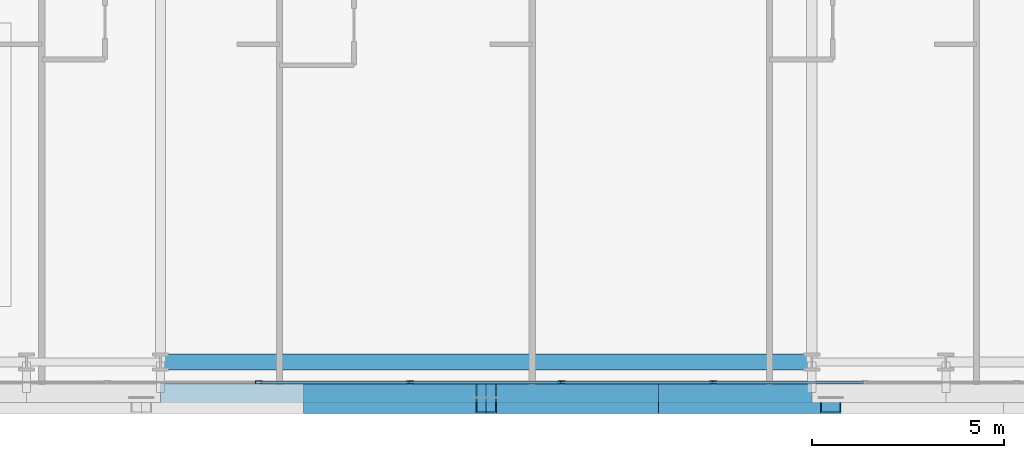
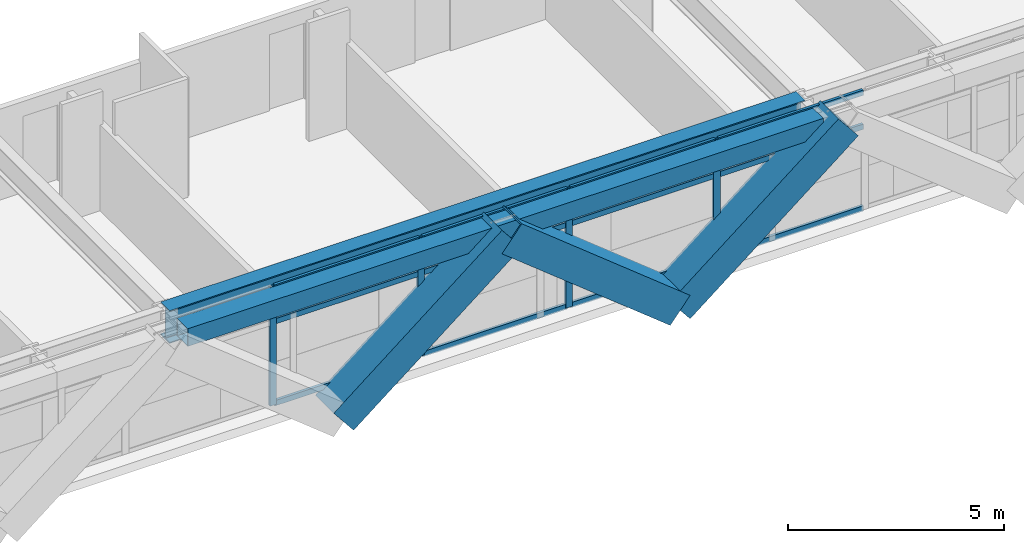
# One storey, part 5 of 38: 19 members, 2 beams, 1 element without a shape of its own.
"""IFC4 building model written with IfcOpenShell, lengths in metres."""

import ifcopenshell
import ifcopenshell.guid

model = None  # the IFC model being written
_history = None  # IfcOwnerHistory: only IFC2X3 demands one
_inside = {}  # id of a spatial element -> (the spatial element, [elements in it])
_under = {}  # id of a project, library or spatial element -> (it, [spatial elements below it])
_declared = {}  # id of a project -> (the project, [libraries it declares])
_typed = {}  # id of a type object -> (the type object, [elements of that type])
_made_of = {}  # id of a material, layer set ... -> (it, [elements and type objects made of it])


def new_model(schema):
    """Start an empty IFC model of exactly this schema.

    Asked for "IFC4X3", IfcOpenShell would pick the latest addendum, in which some entities
    have other attributes; the version numbers below select the first issue.
    IFC2X3 requires an IfcOwnerHistory on every rooted entity: one is made here for all.
    """
    global model, _history
    if schema == "IFC4X3":
        model = ifcopenshell.file(schema_version=(4, 3, 0, 0))
    else:
        model = ifcopenshell.file(schema=schema)
    _inside.clear()
    _under.clear()
    _declared.clear()
    _typed.clear()
    _made_of.clear()
    _history = None
    if model.schema == "IFC2X3":
        org = make("IfcOrganization", Name="unknown")
        user = make(
            "IfcPersonAndOrganization",
            ThePerson=make("IfcPerson", FamilyName="unknown"),
            TheOrganization=org,
        )
        app = make(
            "IfcApplication",
            ApplicationDeveloper=org,
            Version="unknown",
            ApplicationFullName="unknown",
            ApplicationIdentifier="unknown",
        )
        _history = make(
            "IfcOwnerHistory",
            OwningUser=user,
            OwningApplication=app,
            ChangeAction="ADDED",
            CreationDate=0,
        )
    return model


def make(cls, **values):
    """One entity of the class cls with the attributes given. An attribute that is None is left unset."""
    return model.create_entity(
        cls, **{name: value for name, value in values.items() if value is not None}
    )


def rooted(cls, **values):
    """An entity with a GlobalId (a new one), such as an element, a storey or a relation."""
    return make(cls, GlobalId=ifcopenshell.guid.new(), OwnerHistory=_history, **values)


def si_unit(unit_type, name, prefix=None):
    """IfcSIUnit, for example si_unit("LENGTHUNIT", "METRE", prefix="MILLI")."""
    return make("IfcSIUnit", UnitType=unit_type, Prefix=prefix, Name=name)


def assignment(units):
    """IfcUnitAssignment: the units of a project."""
    return None if units is None else make("IfcUnitAssignment", Units=units)


def point(xyz):
    """IfcCartesianPoint."""
    return None if xyz is None else make("IfcCartesianPoint", Coordinates=xyz)


def direction(xyz):
    """IfcDirection."""
    return None if xyz is None else make("IfcDirection", DirectionRatios=xyz)


def frame(location, z_axis=None, x_axis=None):
    """IfcAxis2Placement3D, a coordinate frame: its origin and axes. An axis left out is left unset."""
    return make(
        "IfcAxis2Placement3D",
        Location=point(location),
        Axis=direction(z_axis),
        RefDirection=direction(x_axis),
    )


def frame_2d(location, x_axis=None):
    """IfcAxis2Placement2D, a coordinate frame in the plane: its origin and x axis."""
    return make(
        "IfcAxis2Placement2D", Location=point(location), RefDirection=direction(x_axis)
    )


def origin():
    """The frame at (0, 0, 0) with its axes left unset."""
    return frame((0.0, 0.0, 0.0))


def origin_2d():
    """The frame at (0, 0) in the plane with its x axis left unset."""
    return frame_2d((0.0, 0.0))


def place(relative_to, where):
    """IfcLocalPlacement: puts the frame where relative to a parent placement (None: the world)."""
    return make(
        "IfcLocalPlacement", PlacementRelTo=relative_to, RelativePlacement=where
    )


def context(
    kind, dimensions, precision=None, world=None, true_north=None, identifier=None
):
    """IfcGeometricRepresentationContext, for example the 3D "Model" context."""
    return make(
        "IfcGeometricRepresentationContext",
        ContextIdentifier=identifier,
        ContextType=kind,
        CoordinateSpaceDimension=dimensions,
        Precision=precision,
        WorldCoordinateSystem=world,
        TrueNorth=true_north,
    )


def subcontext(parent, identifier, kind, view, scale=None):
    """IfcGeometricRepresentationSubContext, for example "Body" below "Model"."""
    return make(
        "IfcGeometricRepresentationSubContext",
        ContextIdentifier=identifier,
        ContextType=kind,
        ParentContext=parent,
        TargetScale=scale,
        TargetView=view,
    )


def project(units=None, contexts=None):
    """IfcProject with its units and contexts."""
    return rooted(
        "IfcProject",
        Name="project",
        RepresentationContexts=contexts,
        UnitsInContext=assignment(units),
    )


def spatial(cls, under=None, at=None, **own):
    """A site, building, storey or space (cls), placed at a placement, below another one or the project."""
    s = rooted(cls, ObjectPlacement=at, **own)
    if under is not None:
        _under.setdefault(under.id(), (under, []))[1].append(s)
    return s


def profile(cls, at=None, kind="AREA", **sizes):
    """A parametric profile (cls). Its sizes go by their IFC names, for example OverallWidth=200.0."""
    return make(cls, ProfileType=kind, Position=at, **sizes)


def hollow_rectangle(**sizes):
    """IfcRectangleHollowProfileDef."""
    return profile("IfcRectangleHollowProfileDef", **sizes)


def i_section(**sizes):
    """IfcIShapeProfileDef."""
    return profile("IfcIShapeProfileDef", **sizes)


def extrude(swept, where, along, depth):
    """IfcExtrudedAreaSolid: the profile swept, set in the frame where, extruded along a direction by depth."""
    return make(
        "IfcExtrudedAreaSolid",
        SweptArea=swept,
        Position=where,
        ExtrudedDirection=direction(along),
        Depth=depth,
    )


def shape(context_of_items, identifier, shape_type, items):
    """IfcShapeRepresentation: the items that make up one representation, for example the "Body"."""
    return make(
        "IfcShapeRepresentation",
        ContextOfItems=context_of_items,
        RepresentationIdentifier=identifier,
        RepresentationType=shape_type,
        Items=items,
    )


def source(mapping_origin, context_of_items, identifier, shape_type, items):
    """IfcRepresentationMap: a shape defined once, which mapped items show again and again."""
    return make(
        "IfcRepresentationMap",
        MappingOrigin=mapping_origin,
        MappedRepresentation=shape(context_of_items, identifier, shape_type, items),
    )


def transform(
    local_origin,
    x_axis=None,
    y_axis=None,
    z_axis=None,
    scale=None,
    scale2=None,
    scale3=None,
    uniform=True,
):
    """IfcCartesianTransformationOperator3D, or its non-uniform kind. x_axis, y_axis, z_axis: its Axis1, 2, 3."""
    if uniform:
        return make(
            "IfcCartesianTransformationOperator3D",
            Axis1=direction(x_axis),
            Axis2=direction(y_axis),
            LocalOrigin=point(local_origin),
            Scale=scale,
            Axis3=direction(z_axis),
        )
    return make(
        "IfcCartesianTransformationOperator3DnonUniform",
        Axis1=direction(x_axis),
        Axis2=direction(y_axis),
        LocalOrigin=point(local_origin),
        Scale=scale,
        Axis3=direction(z_axis),
        Scale2=scale2,
        Scale3=scale3,
    )


def mapped(mapping_source, mapping_target):
    """IfcMappedItem: shows the shape of a source again, moved by a transform."""
    return make(
        "IfcMappedItem", MappingSource=mapping_source, MappingTarget=mapping_target
    )


def material(Name=None, Category=None):
    """IfcMaterial."""
    return make("IfcMaterial", Name=Name, Category=Category)


def layer(
    of_material, thickness, ventilated=None, Name=None, Category=None, Priority=None
):
    """IfcMaterialLayer: one layer of a wall or slab, of a material (None: an air gap)."""
    return make(
        "IfcMaterialLayer",
        Material=of_material,
        LayerThickness=thickness,
        IsVentilated=ventilated,
        Name=Name,
        Category=Category,
        Priority=Priority,
    )


def layer_set(layers, Name=None):
    """IfcMaterialLayerSet."""
    return make("IfcMaterialLayerSet", MaterialLayers=layers, LayerSetName=Name)


def material_profile(
    of_material, cross_section, Name=None, Category=None, Priority=None
):
    """IfcMaterialProfile: a cross section and its material."""
    return make(
        "IfcMaterialProfile",
        Name=Name,
        Material=of_material,
        Profile=cross_section,
        Priority=Priority,
        Category=Category,
    )


def profile_set(profiles, Name=None, composite=None):
    """IfcMaterialProfileSet."""
    return make(
        "IfcMaterialProfileSet",
        Name=Name,
        MaterialProfiles=profiles,
        CompositeProfile=composite,
    )


def made_of(thing, what):
    """Note that an element or type object is made of a material, layer set ...; save() writes the relation."""
    if what is not None:
        _made_of.setdefault(what.id(), (what, []))[1].append(thing)
    return thing


def type_object(cls, material=None, **own):
    """A type object (cls), such as IfcWallType, which elements share."""
    return made_of(rooted(cls, **own), material)


def element(
    cls,
    number,
    at=None,
    inside=None,
    cuts=None,
    type_object=None,
    material=None,
    context=None,
    identifier="Body",
    shape_type=None,
    held_by="IfcProductDefinitionShape",
    body=None,
    shapes=None,
    **own,
):
    """One element of the class cls, such as IfcWall. Its Tag is "e" and its number.

    at: its placement. inside: the storey or other place that contains it. cuts: it is an
    opening in that element (IfcRelVoidsElement). A single representation is given by context,
    identifier, shape_type and body (its items); several are given by shapes. held_by: the class
    of the entity that holds the representations. save() writes the other relations.
    """
    e = rooted(cls, Tag="e%d" % number, ObjectPlacement=at, **own)
    if body is not None:
        shapes = [shape(context, identifier, shape_type, body)]
    if shapes is not None:
        e.Representation = make(held_by, Representations=shapes)
    if inside is not None:
        _inside.setdefault(inside.id(), (inside, []))[1].append(e)
    if cuts is not None:
        rooted(
            "IfcRelVoidsElement", RelatingBuildingElement=cuts, RelatedOpeningElement=e
        )
    if type_object is not None:
        _typed.setdefault(type_object.id(), (type_object, []))[1].append(e)
    return made_of(e, material)


def aggregate(whole, parts):
    """IfcRelAggregates: a whole, such as a stair, and the parts it consists of."""
    return rooted("IfcRelAggregates", RelatingObject=whole, RelatedObjects=parts)


def save(model, path):
    """Write the relations noted so far, then the file.

    IfcRelAggregates (storeys below a building ...), IfcRelContainedInSpatialStructure (elements
    in a storey), IfcRelDefinesByType, IfcRelAssociatesMaterial and IfcRelDeclares: one each for
    every whole, place, type object, material and project.
    """
    for whole, parts in _under.values():
        aggregate(whole, parts)
    for where, things in _inside.values():
        rooted(
            "IfcRelContainedInSpatialStructure",
            RelatedElements=things,
            RelatingStructure=where,
        )
    for kind, things in _typed.values():
        rooted("IfcRelDefinesByType", RelatedObjects=things, RelatingType=kind)
    for what, things in _made_of.values():
        rooted("IfcRelAssociatesMaterial", RelatedObjects=things, RelatingMaterial=what)
    for by, libraries in _declared.values():
        rooted("IfcRelDeclares", RelatingContext=by, RelatedDefinitions=libraries)
    model.write(path)


model = new_model("IFC4")

# Units and contexts
model_context = context("Model", 3, precision=1e-05, world=origin(), true_north=direction((0.0, 1.0)))
body_context = subcontext(model_context, "Body", "Model", "MODEL_VIEW")
ifc_project = project(units=[si_unit("LENGTHUNIT", "METRE"), si_unit("AREAUNIT", "SQUARE_METRE"), si_unit("VOLUMEUNIT", "CUBIC_METRE"), si_unit("PLANEANGLEUNIT", "RADIAN"), si_unit("MASSUNIT", "GRAM", prefix="KILO")], contexts=[model_context])

# Site, building, storey
site_placement = place(None, origin())
site = spatial("IfcSite", under=ifc_project, at=site_placement, CompositionType="ELEMENT")
building_placement = place(site_placement, origin())
building = spatial("IfcBuilding", under=site, at=building_placement, Name="Ocotamira Hotel", CompositionType="ELEMENT")
storey_placement = place(building_placement, frame((0.0, 0.0, 45.60009765625)))
storey = spatial("IfcBuildingStorey", under=building, at=storey_placement, Name="L10", CompositionType="ELEMENT", Elevation=45.60009765625)

# Beams
ifc_material_1 = material(Name="Steel ASTM A992 Grade 50", Category="steel")
ifc_material_profile_1 = material_profile(ifc_material_1, i_section(OverallWidth=0.41796875, OverallDepth=0.927001953125, WebThickness=0.019287109375, FlangeThickness=0.031982421875, FilletRadius=0.02392578125, at=origin_2d()), Name="W36X231")
ifc_profile_set_1 = profile_set([ifc_material_profile_1], Name="Steel ASTM A992 Grade 50")
beam_type_1 = type_object("IfcBeamType", Name="BM-GIRD-W36X231", PredefinedType="BEAM", material=ifc_profile_set_1)
shared_shape_1 = source(origin(), body_context, "Body", "SweptSolid", [
    extrude(i_section(OverallWidth=0.41796875, OverallDepth=0.927001953125, WebThickness=0.019287109375, FlangeThickness=0.031982421875, FilletRadius=0.02392578125, at=origin_2d()), origin(), (0.0, 0.0, 1.0), 17.0),
])
beam_1_placement = place(storey_placement, frame((23.5, 2.949951171875, 2.886474609375), z_axis=(1.0, 0.0, 0.0), x_axis=(0.0, 1.0, 0.0)))
element("IfcBeam", 1, at=beam_1_placement, inside=storey, type_object=beam_type_1, Name="L10 Girder Y2.95 X23.5-40.5", PredefinedType="BEAM", context=body_context, shape_type="MappedRepresentation", body=[
    mapped(shared_shape_1, transform((0.0, 0.0, 0.0), scale=1.0)),
])
ifc_material_2 = material(Name="Steel ASTM A500 Grade C", Category="steel")
ifc_material_profile_2 = material_profile(ifc_material_2, hollow_rectangle(XDim=0.5, YDim=0.5, WallThickness=0.02001953125, at=origin_2d()), Name="HSS500X500X20")
ifc_profile_set_2 = profile_set([ifc_material_profile_2], Name="Steel ASTM A500 Grade C")
beam_type_2 = type_object("IfcBeamType", Name="BM-SPAN-HSS500", PredefinedType="USERDEFINED", material=ifc_profile_set_2)
shared_shape_2 = source(origin(), body_context, "Body", "SweptSolid", [
    extrude(hollow_rectangle(XDim=0.5, YDim=0.5, WallThickness=0.02001953125, at=origin_2d()), origin(), (0.0, 0.0, 1.0), 17.0),
])
beam_2_placement = place(storey_placement, frame((23.5, 2.14990234375, 3.099853515625), z_axis=(1.0, 0.0, 0.0), x_axis=(0.0, 1.0, 0.0)))
element("IfcBeam", 2, at=beam_2_placement, inside=storey, type_object=beam_type_2, Name="L10 Edge Spandrel S X23.5-40.5", ObjectType="SPANDREL", PredefinedType="USERDEFINED", context=body_context, shape_type="MappedRepresentation", body=[
    mapped(shared_shape_2, transform((0.0, 0.0, 0.0), scale=1.0)),
])

# Members
ifc_material_3 = material(Name="Pale-metal coated steel ASTM A913 Grade 65", Category="steel")
ifc_material_profile_3 = material_profile(ifc_material_3, hollow_rectangle(XDim=0.85009765625, YDim=0.85009765625, WallThickness=0.035888671875, at=origin_2d()), Name="BOX850X850X36")
ifc_profile_set_3 = profile_set([ifc_material_profile_3], Name="Pale-metal coated steel ASTM A913 Grade 65")
member_type_1 = type_object("IfcMemberType", Name="MEM-EXO-BOX850", PredefinedType="BRACE", material=ifc_profile_set_3)
shared_shape_3 = source(origin(), body_context, "Body", "SweptSolid", [
    extrude(hollow_rectangle(XDim=0.85009765625, YDim=0.85009765625, WallThickness=0.035888671875, at=origin_2d()), origin(), (0.0, 0.0, 1.0), 5.7626953125),
])
for number, where, z_axis, x_axis, name in (
    (3, (27.5, 2.030029296875, -0.5), (0.780881208953, 0.0, 0.624679547852), (0.0, 1.0, 0.0), "L10 Exoskeleton Diagrid S1.2"),
    (4, (36.5, 2.030029296875, -0.5), (-0.780881208953, 0.0, 0.624679547852), (0.0, -1.0, 0.0), "L10 Exoskeleton Diagrid S2.1"),
    (5, (36.5, 2.030029296875, -0.5), (0.780881208953, 0.0, 0.624679547852), (0.0, 1.0, 0.0), "L10 Exoskeleton Diagrid S2.2"),
):
    element("IfcMember", number, at=place(storey_placement, frame(where, z_axis=z_axis, x_axis=x_axis)), inside=storey, type_object=member_type_1, Name=name, PredefinedType="BRACE", context=body_context, shape_type="MappedRepresentation", body=[
        mapped(shared_shape_3, transform((0.0, 0.0, 0.0), scale=1.0)),
    ])

# Curtain wall, members
ifc_material_4 = material(Name="Anodised pale-metal aluminium and solar glass", Category="aluminium")
ifc_layer = layer(ifc_material_4, 0.179931640625)
ifc_layer_set = layer_set([ifc_layer], Name="Anodised pale-metal aluminium and solar glass")
curtain_wall_type = type_object("IfcCurtainWallType", Name="CW-SYS2-Z1", PredefinedType="NOTDEFINED", material=ifc_layer_set)
curtain_wall_placement = place(storey_placement, origin())
curtain_wall = element("IfcCurtainWall", 6, at=curtain_wall_placement, inside=storey, type_object=curtain_wall_type, Name="L10 Curtain Wall CW-2 CW-L10-S1", PredefinedType="NOTDEFINED")
ifc_material_5 = material(Name="Anodised pale-metal aluminium 6063-T6", Category="aluminium")
ifc_material_profile_4 = material_profile(ifc_material_5, hollow_rectangle(XDim=0.080078125, YDim=0.179931640625, WallThickness=0.006103515625, at=origin_2d()), Name="HSS180X80X6")
ifc_profile_set_4 = profile_set([ifc_material_profile_4], Name="Anodised pale-metal aluminium 6063-T6")
member_type_2 = type_object("IfcMemberType", Name="CWM-180X75", PredefinedType="MULLION", material=ifc_profile_set_4)
shared_shape_4 = source(origin(), body_context, "Body", "SweptSolid", [
    extrude(hollow_rectangle(XDim=0.080078125, YDim=0.179931640625, WallThickness=0.006103515625, at=origin_2d()), origin(), (0.0, 0.0, 1.0), 3.349853515625),
])
member_1_placement = place(storey_placement, frame((26.066650390625, 2.419921875, 0.0), z_axis=(0.0, 0.0, 1.0), x_axis=(0.0, 1.0, 0.0)))
member_1 = element("IfcMember", 7, at=member_1_placement, type_object=member_type_2, Name="CW-2 mullion 4", PredefinedType="MULLION", context=body_context, shape_type="MappedRepresentation", body=[
    mapped(shared_shape_4, transform((0.0, 0.0, 0.0), scale=1.0)),
])
member_2_placement = place(storey_placement, frame((30.022216796875, 2.419921875, 0.0), z_axis=(0.0, 0.0, 1.0), x_axis=(0.0, 1.0, 0.0)))
member_2 = element("IfcMember", 8, at=member_2_placement, type_object=member_type_2, Name="CW-2 mullion 5", PredefinedType="MULLION", context=body_context, shape_type="MappedRepresentation", body=[
    mapped(shared_shape_4, transform((0.0, 0.0, 0.0), scale=1.0)),
])
member_3_placement = place(storey_placement, frame((33.977783203125, 2.419921875, 0.0), z_axis=(0.0, 0.0, 1.0), x_axis=(0.0, 1.0, 0.0)))
member_3 = element("IfcMember", 9, at=member_3_placement, type_object=member_type_2, Name="CW-2 mullion 6", PredefinedType="MULLION", context=body_context, shape_type="MappedRepresentation", body=[
    mapped(shared_shape_4, transform((0.0, 0.0, 0.0), scale=1.0)),
])
member_4_placement = place(storey_placement, frame((37.933349609375, 2.419921875, 0.0), z_axis=(0.0, 0.0, 1.0), x_axis=(0.0, 1.0, 0.0)))
member_4 = element("IfcMember", 10, at=member_4_placement, type_object=member_type_2, Name="CW-2 mullion 7", PredefinedType="MULLION", context=body_context, shape_type="MappedRepresentation", body=[
    mapped(shared_shape_4, transform((0.0, 0.0, 0.0), scale=1.0)),
])
ifc_material_profile_5 = material_profile(ifc_material_5, hollow_rectangle(XDim=0.074951171875, YDim=0.14990234375, WallThickness=0.006103515625, at=origin_2d()), Name="HSS150X75X6")
ifc_profile_set_5 = profile_set([ifc_material_profile_5], Name="Anodised pale-metal aluminium 6063-T6")
member_type_3 = type_object("IfcMemberType", Name="CWT-150X75", PredefinedType="USERDEFINED", material=ifc_profile_set_5)
shared_shape_5 = source(origin(), body_context, "Body", "SweptSolid", [
    extrude(hollow_rectangle(XDim=0.074951171875, YDim=0.14990234375, WallThickness=0.006103515625, at=origin_2d()), origin(), (0.0, 0.0, 1.0), 3.87548828125),
])
member_5_placement = place(storey_placement, frame((26.106689453125, 2.419921875, 0.037353515625), z_axis=(1.0, 0.0, 0.0), x_axis=(0.0, 1.0, 0.0)))
member_5 = element("IfcMember", 11, at=member_5_placement, type_object=member_type_3, Name="CW-2 transom 4.1", ObjectType="TRANSOM", PredefinedType="USERDEFINED", context=body_context, shape_type="MappedRepresentation", body=[
    mapped(shared_shape_5, transform((0.0, 0.0, 0.0), scale=1.0)),
])
member_6_placement = place(storey_placement, frame((26.106689453125, 2.419921875, 2.349853515625), z_axis=(1.0, 0.0, 0.0), x_axis=(0.0, 1.0, 0.0)))
member_6 = element("IfcMember", 12, at=member_6_placement, type_object=member_type_3, Name="CW-2 transom 4.2", ObjectType="TRANSOM", PredefinedType="USERDEFINED", context=body_context, shape_type="MappedRepresentation", body=[
    mapped(shared_shape_5, transform((0.0, 0.0, 0.0), scale=1.0)),
])
member_7_placement = place(storey_placement, frame((26.106689453125, 2.419921875, 3.3125), z_axis=(1.0, 0.0, 0.0), x_axis=(0.0, 1.0, 0.0)))
member_7 = element("IfcMember", 13, at=member_7_placement, type_object=member_type_3, Name="CW-2 transom 4.3", ObjectType="TRANSOM", PredefinedType="USERDEFINED", context=body_context, shape_type="MappedRepresentation", body=[
    mapped(shared_shape_5, transform((0.0, 0.0, 0.0), scale=1.0)),
])
member_8_placement = place(storey_placement, frame((30.062255859375, 2.419921875, 0.037353515625), z_axis=(1.0, 0.0, 0.0), x_axis=(0.0, 1.0, 0.0)))
member_8 = element("IfcMember", 14, at=member_8_placement, type_object=member_type_3, Name="CW-2 transom 5.1", ObjectType="TRANSOM", PredefinedType="USERDEFINED", context=body_context, shape_type="MappedRepresentation", body=[
    mapped(shared_shape_5, transform((0.0, 0.0, 0.0), scale=1.0)),
])
member_9_placement = place(storey_placement, frame((30.062255859375, 2.419921875, 2.349853515625), z_axis=(1.0, 0.0, 0.0), x_axis=(0.0, 1.0, 0.0)))
member_9 = element("IfcMember", 15, at=member_9_placement, type_object=member_type_3, Name="CW-2 transom 5.2", ObjectType="TRANSOM", PredefinedType="USERDEFINED", context=body_context, shape_type="MappedRepresentation", body=[
    mapped(shared_shape_5, transform((0.0, 0.0, 0.0), scale=1.0)),
])
member_10_placement = place(storey_placement, frame((30.062255859375, 2.419921875, 3.3125), z_axis=(1.0, 0.0, 0.0), x_axis=(0.0, 1.0, 0.0)))
member_10 = element("IfcMember", 16, at=member_10_placement, type_object=member_type_3, Name="CW-2 transom 5.3", ObjectType="TRANSOM", PredefinedType="USERDEFINED", context=body_context, shape_type="MappedRepresentation", body=[
    mapped(shared_shape_5, transform((0.0, 0.0, 0.0), scale=1.0)),
])
member_11_placement = place(storey_placement, frame((34.017822265625, 2.419921875, 0.037353515625), z_axis=(1.0, 0.0, 0.0), x_axis=(0.0, 1.0, 0.0)))
member_11 = element("IfcMember", 17, at=member_11_placement, type_object=member_type_3, Name="CW-2 transom 6.1", ObjectType="TRANSOM", PredefinedType="USERDEFINED", context=body_context, shape_type="MappedRepresentation", body=[
    mapped(shared_shape_5, transform((0.0, 0.0, 0.0), scale=1.0)),
])
member_12_placement = place(storey_placement, frame((34.017822265625, 2.419921875, 2.349853515625), z_axis=(1.0, 0.0, 0.0), x_axis=(0.0, 1.0, 0.0)))
member_12 = element("IfcMember", 18, at=member_12_placement, type_object=member_type_3, Name="CW-2 transom 6.2", ObjectType="TRANSOM", PredefinedType="USERDEFINED", context=body_context, shape_type="MappedRepresentation", body=[
    mapped(shared_shape_5, transform((0.0, 0.0, 0.0), scale=1.0)),
])
member_13_placement = place(storey_placement, frame((34.017822265625, 2.419921875, 3.3125), z_axis=(1.0, 0.0, 0.0), x_axis=(0.0, 1.0, 0.0)))
member_13 = element("IfcMember", 19, at=member_13_placement, type_object=member_type_3, Name="CW-2 transom 6.3", ObjectType="TRANSOM", PredefinedType="USERDEFINED", context=body_context, shape_type="MappedRepresentation", body=[
    mapped(shared_shape_5, transform((0.0, 0.0, 0.0), scale=1.0)),
])
member_14_placement = place(storey_placement, frame((37.973388671875, 2.419921875, 0.037353515625), z_axis=(1.0, 0.0, 0.0), x_axis=(0.0, 1.0, 0.0)))
member_14 = element("IfcMember", 20, at=member_14_placement, type_object=member_type_3, Name="CW-2 transom 7.1", ObjectType="TRANSOM", PredefinedType="USERDEFINED", context=body_context, shape_type="MappedRepresentation", body=[
    mapped(shared_shape_5, transform((0.0, 0.0, 0.0), scale=1.0)),
])
member_15_placement = place(storey_placement, frame((37.973388671875, 2.419921875, 2.349853515625), z_axis=(1.0, 0.0, 0.0), x_axis=(0.0, 1.0, 0.0)))
member_15 = element("IfcMember", 21, at=member_15_placement, type_object=member_type_3, Name="CW-2 transom 7.2", ObjectType="TRANSOM", PredefinedType="USERDEFINED", context=body_context, shape_type="MappedRepresentation", body=[
    mapped(shared_shape_5, transform((0.0, 0.0, 0.0), scale=1.0)),
])
member_16_placement = place(storey_placement, frame((37.973388671875, 2.419921875, 3.3125), z_axis=(1.0, 0.0, 0.0), x_axis=(0.0, 1.0, 0.0)))
member_16 = element("IfcMember", 22, at=member_16_placement, type_object=member_type_3, Name="CW-2 transom 7.3", ObjectType="TRANSOM", PredefinedType="USERDEFINED", context=body_context, shape_type="MappedRepresentation", body=[
    mapped(shared_shape_5, transform((0.0, 0.0, 0.0), scale=1.0)),
])
aggregate(curtain_wall, [member_1, member_2, member_3, member_4, member_5, member_6, member_7, member_8, member_9, member_10, member_11, member_12, member_13, member_14, member_15, member_16])

save(model, "model.ifc")
